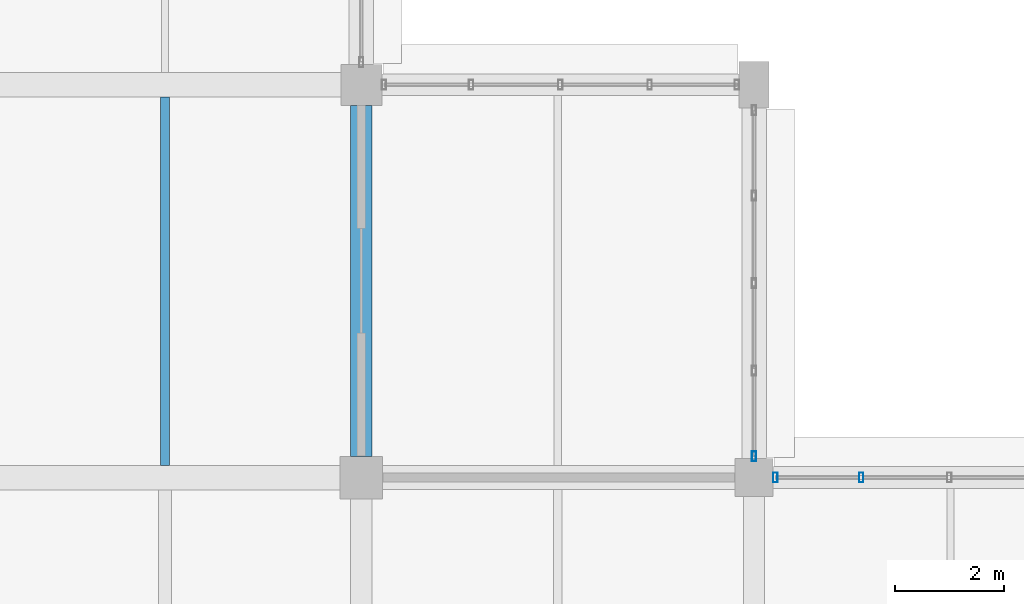
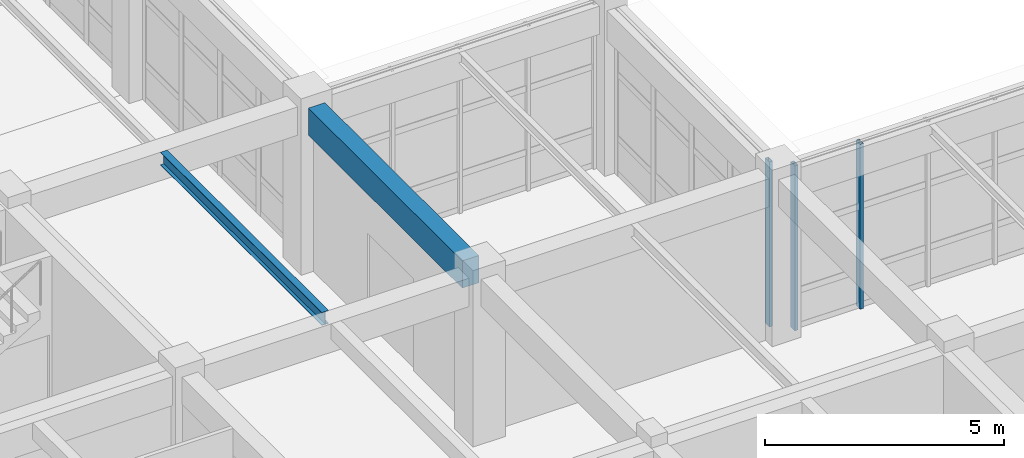
# One storey, part 12 of 171: 3 members, 2 beams, 2 elements without a shape of their own.
"""IFC4 building model written with IfcOpenShell, lengths in metres."""

from ifc_helpers import new_model, si_unit, direction, frame, origin, origin_2d, place, context, subcontext, project, spatial, rectangle, hollow_rectangle, i_section, extrude, material, material_profile, profile_set, type_object, element, aggregate, save


model = new_model("IFC4")

# Units and contexts
model_context = context("Model", 3, precision=1e-05, world=origin(), true_north=direction((0.0, 1.0)))
body_context = subcontext(model_context, "Body", "Model", "MODEL_VIEW")
ifc_project = project(units=[si_unit("LENGTHUNIT", "METRE"), si_unit("AREAUNIT", "SQUARE_METRE"), si_unit("VOLUMEUNIT", "CUBIC_METRE"), si_unit("PLANEANGLEUNIT", "RADIAN"), si_unit("MASSUNIT", "GRAM", prefix="KILO")], contexts=[model_context])

# Site, building, storey
site_placement = place(None, origin())
site = spatial("IfcSite", under=ifc_project, at=site_placement, CompositionType="ELEMENT")
building_placement = place(site_placement, origin())
building = spatial("IfcBuilding", under=site, at=building_placement, Name="Thalmaran Polytechnic", CompositionType="ELEMENT")
storey_placement = place(building_placement, frame((0.0, 0.0, 5.39990234375)))
storey = spatial("IfcBuildingStorey", under=building, at=storey_placement, Name="L01", CompositionType="ELEMENT", Elevation=5.39990234375)

# Beams
ifc_material_1 = material(Name="Steel S355", Category="steel")
ifc_material_profile_1 = material_profile(ifc_material_1, i_section(OverallWidth=0.159912109375, OverallDepth=0.330078125, WebThickness=0.007568359375, FlangeThickness=0.011474609375, at=origin_2d()), Name="IPE 330")
ifc_profile_set_1 = profile_set([ifc_material_profile_1], Name="Steel S355")
beam_type_1 = type_object("IfcBeamType", Name="BM-SJ02", PredefinedType="JOIST", material=ifc_profile_set_1)
beam_1_placement = place(storey_placement, frame((18.0, 21.824951171875, 4.045166015625), z_axis=(0.0, 1.0, 0.0), x_axis=(-1.0, 0.0, 0.0)))
element("IfcBeam", 1, at=beam_1_placement, inside=storey, type_object=beam_type_1, Name="Secondary Floor Rib SJ02 L01 (2,3)", PredefinedType="JOIST", context=body_context, shape_type="SweptSolid", body=[
    extrude(i_section(OverallWidth=0.159912109375, OverallDepth=0.330078125, WebThickness=0.007568359375, FlangeThickness=0.011474609375, at=origin_2d()), origin(), (0.0, 0.0, 1.0), 6.75),
])
ifc_material_2 = material(Name="Concrete C40/50", Category="concrete")
ifc_material_profile_2 = material_profile(ifc_material_2, rectangle(XDim=0.39990234375, YDim=0.695068359375, at=origin_2d()), Name="RC 400x695")
ifc_profile_set_2 = profile_set([ifc_material_profile_2], Name="Concrete C40/50")
beam_type_2 = type_object("IfcBeamType", Name="BM-ZB08", PredefinedType="BEAM", material=ifc_profile_set_2)
beam_2_placement = place(storey_placement, frame((21.60009765625, 21.989990234375, 3.862548828125), z_axis=(0.0, 1.0, 0.0), x_axis=(-1.0, 0.0, 0.0)))
element("IfcBeam", 2, at=beam_2_placement, inside=storey, type_object=beam_type_2, Name="Grid Beam ZB08 L01 Y(3,3)", PredefinedType="BEAM", context=body_context, shape_type="SweptSolid", body=[
    extrude(rectangle(XDim=0.39990234375, YDim=0.695068359375, at=origin_2d()), origin(), (0.0, 0.0, 1.0), 6.43505859375),
])

# Curtain wall, member
ifc_material_3 = material(Name="Aluminium 6063-T6", Category="aluminium")
curtain_wall_type = type_object("IfcCurtainWallType", Name="CW-UC02", PredefinedType="USERDEFINED", material=ifc_material_3)
curtain_wall_1_placement = place(storey_placement, origin())
curtain_wall_1 = element("IfcCurtainWall", 3, at=curtain_wall_1_placement, inside=storey, type_object=curtain_wall_type, Name="Curtain Wall CW-L01-162", ObjectType="UNITISED CURTAIN WALL", PredefinedType="USERDEFINED")
ifc_material_profile_3 = material_profile(ifc_material_3, hollow_rectangle(XDim=0.080078125, YDim=0.179931640625, WallThickness=0.0048828125, at=origin_2d()), Name="RHS 180x80x5.0")
ifc_profile_set_3 = profile_set([ifc_material_profile_3], Name="Aluminium 6063-T6")
member_type = type_object("IfcMemberType", Name="CW-MUL1", PredefinedType="MULLION", material=ifc_profile_set_3)
member_1_placement = place(storey_placement, frame((28.800048828125, 21.989990234375, 0.0), z_axis=(0.0, 0.0, 1.0), x_axis=(1.0, 0.0, 0.0)))
member_1 = element("IfcMember", 4, at=member_1_placement, type_object=member_type, Name="CW-L01-162 Mullion 5", PredefinedType="MULLION", context=body_context, shape_type="SweptSolid", body=[
    extrude(hollow_rectangle(XDim=0.080078125, YDim=0.179931640625, WallThickness=0.0048828125, at=origin_2d()), origin(), (0.0, 0.0, 1.0), 4.210205078125),
])
aggregate(curtain_wall_1, [member_1])

# Curtain wall, members
curtain_wall_2_placement = place(storey_placement, origin())
curtain_wall_2 = element("IfcCurtainWall", 5, at=curtain_wall_2_placement, inside=storey, type_object=curtain_wall_type, Name="Curtain Wall CW-L01-163", ObjectType="UNITISED CURTAIN WALL", PredefinedType="USERDEFINED")
member_2_placement = place(storey_placement, frame((29.18994140625, 21.60009765625, 0.0), z_axis=(0.0, 0.0, 1.0), x_axis=(1.0, 0.0, 0.0)))
member_2 = element("IfcMember", 6, at=member_2_placement, type_object=member_type, Name="CW-L01-163 Mullion 1", PredefinedType="MULLION", context=body_context, shape_type="SweptSolid", body=[
    extrude(hollow_rectangle(XDim=0.080078125, YDim=0.179931640625, WallThickness=0.0048828125, at=origin_2d()), origin(), (0.0, 0.0, 1.0), 4.210205078125),
])
member_3_placement = place(storey_placement, frame((30.764892578125, 21.60009765625, 0.0), z_axis=(0.0, 0.0, 1.0), x_axis=(1.0, 0.0, 0.0)))
member_3 = element("IfcMember", 7, at=member_3_placement, type_object=member_type, Name="CW-L01-163 Mullion 2", PredefinedType="MULLION", context=body_context, shape_type="SweptSolid", body=[
    extrude(hollow_rectangle(XDim=0.080078125, YDim=0.179931640625, WallThickness=0.0048828125, at=origin_2d()), origin(), (0.0, 0.0, 1.0), 4.210205078125),
])
aggregate(curtain_wall_2, [member_2, member_3])

save(model, "model.ifc")
